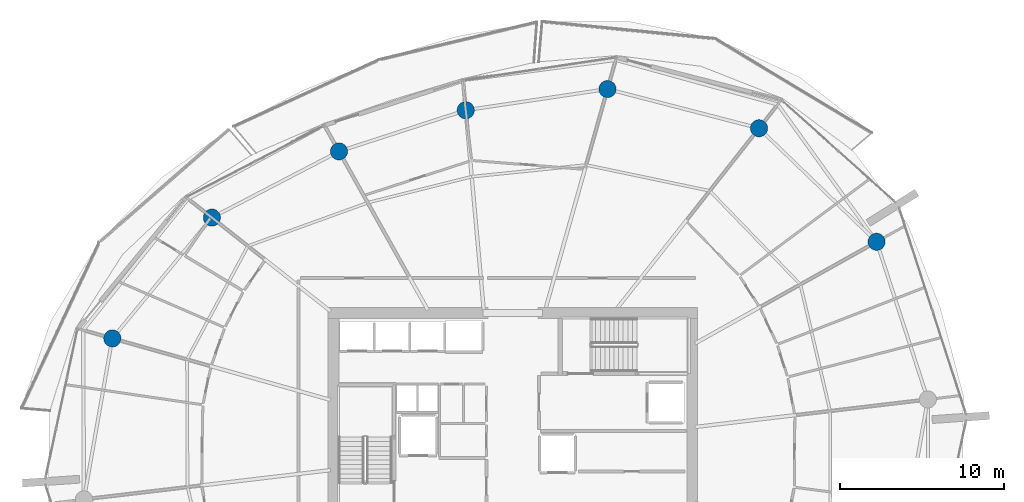
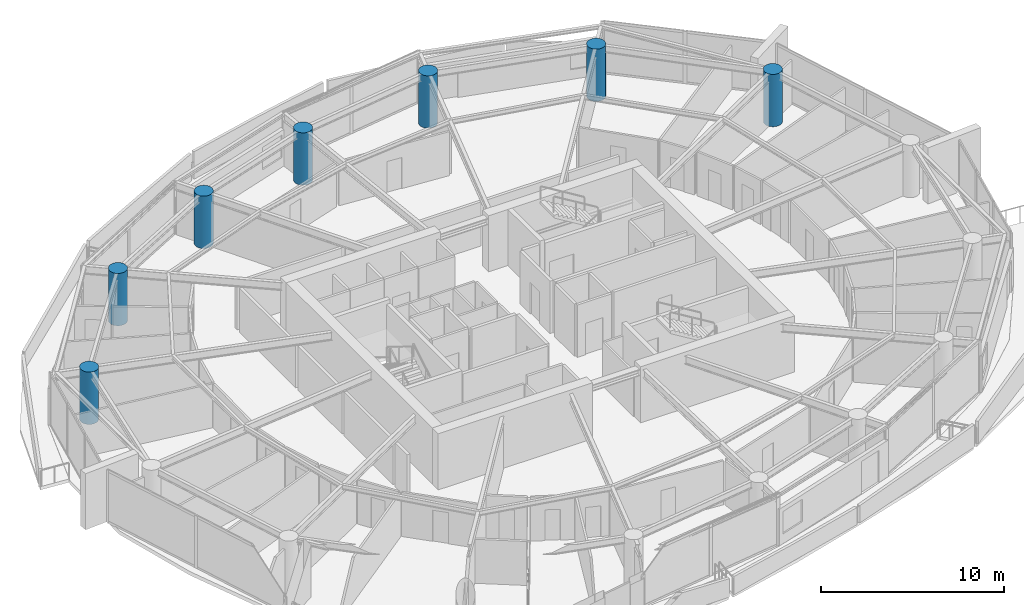
# One storey, part 4 of 20: 7 columns.
"""IFC4 building model written with IfcOpenShell, lengths in metres."""

from ifc_helpers import new_model, si_unit, direction, frame, origin, origin_2d, place, context, subcontext, project, spatial, circle, extrude, material, material_profile, profile_set, type_object, element, save


model = new_model("IFC4")

# Units and contexts
model_context = context("Model", 3, precision=1e-05, world=origin(), true_north=direction((0.0, 1.0)))
body_context = subcontext(model_context, "Body", "Model", "MODEL_VIEW")
ifc_project = project(units=[si_unit("LENGTHUNIT", "METRE"), si_unit("AREAUNIT", "SQUARE_METRE"), si_unit("VOLUMEUNIT", "CUBIC_METRE"), si_unit("PLANEANGLEUNIT", "RADIAN"), si_unit("MASSUNIT", "GRAM", prefix="KILO")], contexts=[model_context])

# Site, building, storey
site_placement = place(None, origin())
site = spatial("IfcSite", under=ifc_project, at=site_placement, CompositionType="ELEMENT")
building_placement = place(site_placement, origin())
building = spatial("IfcBuilding", under=site, at=building_placement, Name="Kazma Halo Residences", CompositionType="ELEMENT")
storey_placement = place(building_placement, frame((0.0, 0.0, 214.050048828125)))
storey = spatial("IfcBuildingStorey", under=building, at=storey_placement, Name="L54", CompositionType="ELEMENT", Elevation=214.050048828125)

# Columns
ifc_material = material(Name="Concrete C80/95", Category="concrete")
ifc_material_profile = material_profile(ifc_material, circle(Radius=0.52490234375, at=origin_2d()), Name="CIRC1050")
ifc_profile_set = profile_set([ifc_material_profile], Name="Concrete C80/95")
column_type = type_object("IfcColumnType", Name="COL-PERIM-1050", PredefinedType="COLUMN", material=ifc_profile_set)
for number, where, z_axis, x_axis, name in (
    (1, (70.625, 54.670654296875, 0.0), (0.0, 0.0, 1.0), (1.0, 0.0, 0.0), "L54 perimeter ring column P01"),
    (2, (63.45068359375, 61.598876953125, 0.0), (0.0, 0.0, 1.0), (1.0, 0.0, 0.0), "L54 perimeter ring column P02"),
    (3, (54.202392578125, 63.99169921875, 0.0), (0.0, 0.0, 1.0), (1.0, 0.0, 0.0), "L54 perimeter ring column P03"),
    (4, (45.550048828125, 62.69970703125, 0.0), (0.0, 0.0, 1.0), (1.0, 0.0, 0.0), "L54 perimeter ring column P04"),
    (5, (37.815185546875, 60.186279296875, 0.0), (0.0, 0.0, 1.0), (1.0, 0.0, 0.0), "L54 perimeter ring column P05"),
    (6, (30.055908203125, 56.14599609375, 0.0), (0.0, 0.0, 1.0), (1.0, 0.0, 0.0), "L54 perimeter ring column P06"),
    (7, (23.980224609375, 48.7744140625, 0.0), (0.0, 0.0, 1.0), (1.0, 0.0, 0.0), "L54 perimeter ring column P07"),
):
    element("IfcColumn", number, at=place(storey_placement, frame(where, z_axis=z_axis, x_axis=x_axis)), inside=storey, type_object=column_type, Name=name, PredefinedType="COLUMN", context=body_context, shape_type="SweptSolid", body=[
        extrude(circle(Radius=0.52490234375, at=origin_2d()), origin(), (0.0, 0.0, 1.0), 3.5),
    ])

save(model, "model.ifc")
